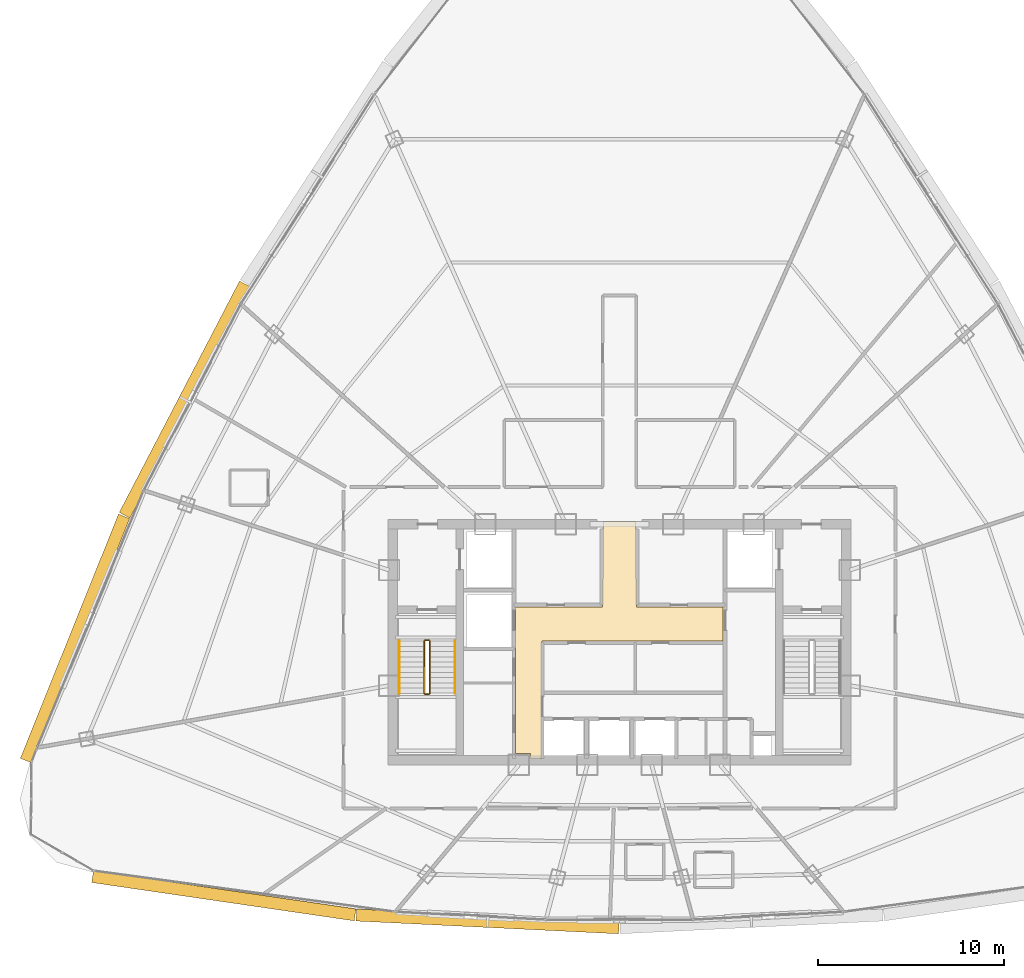
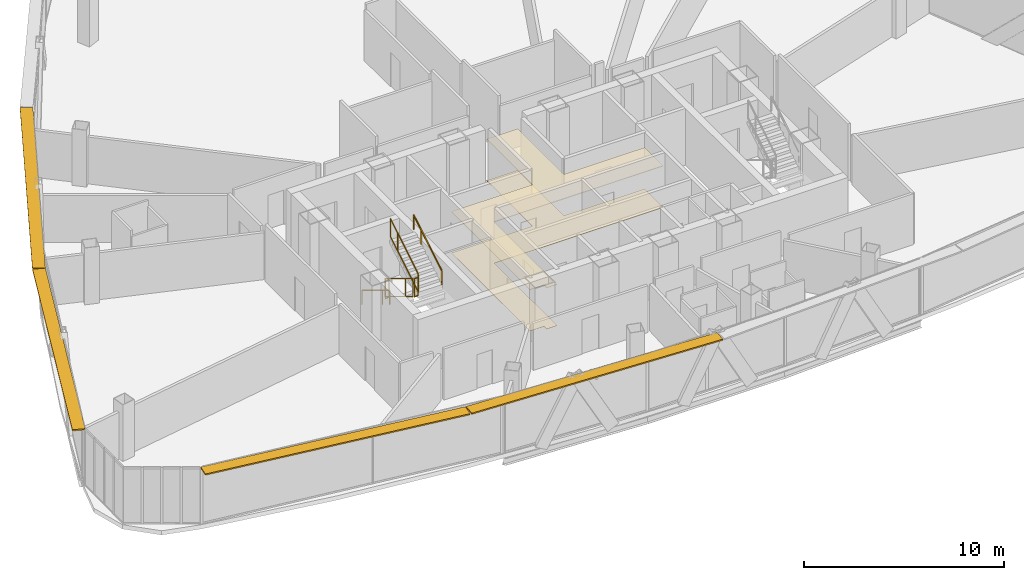
# One storey, part 38 of 40: 6 railings, 4 shading devices, 2 coverings.
"""IFC4 building model written with IfcOpenShell, lengths in metres."""

from ifc_helpers import new_model, si_unit, direction, frame, origin, origin_2d, place, context, subcontext, project, spatial, polyline, rectangle, outline, extrude, source, transform, mapped, material, layer, layer_set, type_object, element, save


model = new_model("IFC4")

# Units and contexts
model_context = context("Model", 3, precision=1e-05, world=origin(), true_north=direction((0.0, 1.0)))
body_context = subcontext(model_context, "Body", "Model", "MODEL_VIEW")
ifc_project = project(units=[si_unit("LENGTHUNIT", "METRE"), si_unit("AREAUNIT", "SQUARE_METRE"), si_unit("VOLUMEUNIT", "CUBIC_METRE"), si_unit("PLANEANGLEUNIT", "RADIAN"), si_unit("MASSUNIT", "GRAM", prefix="KILO"), si_unit("THERMODYNAMICTEMPERATUREUNIT", "KELVIN"), si_unit("POWERUNIT", "WATT")], contexts=[model_context])

# Site, building, storey
site_placement = place(None, origin())
site = spatial("IfcSite", under=ifc_project, at=site_placement, CompositionType="ELEMENT")
building_placement = place(site_placement, origin())
building = spatial("IfcBuilding", under=site, at=building_placement, Name="Yunzhuo Pagoda Commons", CompositionType="ELEMENT")
storey_placement = place(building_placement, frame((0.0, 0.0, 292.47998046875)))
storey = spatial("IfcBuildingStorey", under=building, at=storey_placement, Name="L73", CompositionType="ELEMENT", Elevation=292.47998046875)

# Coverings
ifc_material_1 = material(Name="Micro-perforated metal baffle ceiling")
ifc_layer_1 = layer(ifc_material_1, 0.034912109375)
ifc_layer_set_1 = layer_set([ifc_layer_1], Name="Micro-perforated metal baffle ceiling")
covering_type_1 = type_object("IfcCoveringType", Name="COV-CL3 Ceiling 35", PredefinedType="CEILING", material=ifc_layer_set_1)
covering_1_placement = place(storey_placement, frame((0.0, 0.0, 2.52001953125)))
element("IfcCovering", 1, at=covering_1_placement, inside=storey, type_object=covering_type_1, Name="L73 lift lobby acoustic ceiling", PredefinedType="CEILING", context=body_context, shape_type="SweptSolid", body=[
    extrude(outline(polyline([(42.39990234375, 35.75), (47.080078125, 35.75), (47.080078125, 37.25), (47.10009765625, 37.25), (47.10009765625, 40.35009765625), (48.89990234375, 40.35009765625), (48.89990234375, 37.25), (48.919921875, 37.25), (48.919921875, 35.75), (53.580078125, 35.75), (53.580078125, 33.89990234375), (43.820068359375, 33.89990234375), (43.820068359375, 27.60009765625), (43.207763671875, 27.60009765625), (43.207763671875, 27.85009765625), (43.201904296875, 27.864013671875), (43.187744140625, 27.8701171875), (42.39990234375, 27.8701171875), (42.39990234375, 33.89990234375), (42.39990234375, 35.75)])), origin(), (0.0, 0.0, 1.0), 0.034912109375),
])
ifc_material_2 = material(Name="Resilient acoustic studio flooring")
ifc_layer_2 = layer(ifc_material_2, 0.01806640625)
ifc_layer_set_2 = layer_set([ifc_layer_2], Name="Resilient acoustic studio flooring")
covering_type_2 = type_object("IfcCoveringType", Name="COV-FL3 Flooring 18", PredefinedType="FLOORING", material=ifc_layer_set_2)
covering_2_placement = place(storey_placement, origin())
element("IfcCovering", 2, at=covering_2_placement, inside=storey, type_object=covering_type_2, Name="L73 lift lobby flooring", PredefinedType="FLOORING", context=body_context, shape_type="SweptSolid", body=[
    extrude(outline(polyline([(42.39990234375, 35.75), (47.080078125, 35.75), (47.080078125, 37.25), (47.10009765625, 37.25), (47.10009765625, 40.35009765625), (48.89990234375, 40.35009765625), (48.89990234375, 37.25), (48.919921875, 37.25), (48.919921875, 35.75), (53.580078125, 35.75), (53.580078125, 33.89990234375), (43.820068359375, 33.89990234375), (43.820068359375, 27.60009765625), (43.207763671875, 27.60009765625), (43.207763671875, 27.85009765625), (43.201904296875, 27.864013671875), (43.187744140625, 27.8701171875), (42.39990234375, 27.8701171875), (42.39990234375, 33.89990234375), (42.39990234375, 35.75)])), origin(), (0.0, 0.0, 1.0), 0.01806640625),
])

# Railings
ifc_material_3 = material(Name="Anodized aluminium 6063-T6", Category="aluminium")
railing_type_1 = type_object("IfcRailingType", Name="GR-ST1 Stair Well Guardrail 1150", PredefinedType="GUARDRAIL", material=ifc_material_3)
railing_1_placement = place(storey_placement, frame((37.5, 33.89990234375, 0.169677734375)))
element("IfcRailing", 3, at=railing_1_placement, inside=storey, type_object=railing_type_1, Name="L73 ST1 stair guard 1", PredefinedType="GUARDRAIL", context=body_context, shape_type="SweptSolid", body=[
    extrude(rectangle(XDim=0.048095703125, YDim=0.048095703125, at=origin_2d()), frame((0.0, 0.0, 1.1259765625), z_axis=(0.0, -0.855406155521, 0.517957825596), x_axis=(1.0, 0.0, 0.0)), (0.0, 0.0, 1.0), 3.27294921875),
    extrude(rectangle(XDim=0.048095703125, YDim=0.048095703125, at=origin_2d()), frame((0.0, 0.0, 0.02392578125), z_axis=(0.0, -0.855406155521, 0.517957825596), x_axis=(1.0, 0.0, 0.0)), (0.0, 0.0, 1.0), 3.27294921875),
    extrude(rectangle(XDim=0.0419921875, YDim=0.0419921875, at=origin_2d()), origin(), (0.0, 0.0, 1.0), 1.101806640625),
    extrude(rectangle(XDim=0.0419921875, YDim=0.0419921875, at=origin_2d()), frame((0.0, -2.052978515625, 1.2431640625)), (0.0, 0.0, 1.0), 1.101806640625),
    extrude(rectangle(XDim=0.0419921875, YDim=0.0419921875, at=origin_2d()), frame((0.0, -2.7998046875, 1.6953125)), (0.0, 0.0, 1.0), 1.101806640625),
])
railing_2_placement = place(storey_placement, frame((37.550048828125, 31.050048828125, 1.864990234375)))
element("IfcRailing", 4, at=railing_2_placement, inside=storey, type_object=railing_type_1, Name="L73 ST1 stair guard 2", PredefinedType="GUARDRAIL", context=body_context, shape_type="SweptSolid", body=[
    extrude(rectangle(XDim=0.048095703125, YDim=0.048095703125, at=origin_2d()), frame((0.0, 0.0, 1.1259765625), z_axis=(1.0, 0.0, 0.0), x_axis=(0.0, 1.0, 0.0)), (0.0, 0.0, 1.0), 0.199951171875),
    extrude(rectangle(XDim=0.048095703125, YDim=0.048095703125, at=origin_2d()), frame((0.0, 0.0, 0.02392578125), z_axis=(1.0, 0.0, 0.0), x_axis=(0.0, 1.0, 0.0)), (0.0, 0.0, 1.0), 0.199951171875),
    extrude(rectangle(XDim=0.0419921875, YDim=0.0419921875, at=origin_2d()), origin(), (0.0, 0.0, 1.0), 1.101806640625),
    extrude(rectangle(XDim=0.0419921875, YDim=0.0419921875, at=origin_2d()), frame((0.199951171875, 0.0, 0.0)), (0.0, 0.0, 1.0), 1.101806640625),
])
railing_3_placement = place(storey_placement, frame((37.800048828125, 31.10009765625, 2.03466796875)))
element("IfcRailing", 5, at=railing_3_placement, inside=storey, type_object=railing_type_1, Name="L73 ST1 stair guard 3", PredefinedType="GUARDRAIL", context=body_context, shape_type="SweptSolid", body=[
    extrude(rectangle(XDim=0.048095703125, YDim=0.048095703125, at=origin_2d()), frame((0.0, 0.0, 1.1259765625), z_axis=(0.0, 0.855406155521, 0.517957825596), x_axis=(-1.0, 0.0, 0.0)), (0.0, 0.0, 1.0), 3.27294921875),
    extrude(rectangle(XDim=0.048095703125, YDim=0.048095703125, at=origin_2d()), frame((0.0, 0.0, 0.02392578125), z_axis=(0.0, 0.855406155521, 0.517957825596), x_axis=(-1.0, 0.0, 0.0)), (0.0, 0.0, 1.0), 3.27294921875),
    extrude(rectangle(XDim=0.0419921875, YDim=0.0419921875, at=origin_2d()), origin(), (0.0, 0.0, 1.0), 1.101806640625),
    extrude(rectangle(XDim=0.0419921875, YDim=0.0419921875, at=origin_2d()), frame((0.0, 2.052978515625, 1.2431640625)), (0.0, 0.0, 1.0), 1.101806640625),
    extrude(rectangle(XDim=0.0419921875, YDim=0.0419921875, at=origin_2d()), frame((0.0, 2.7998046875, 1.6953125)), (0.0, 0.0, 1.0), 1.101806640625),
])
railing_4_placement = place(storey_placement, frame((37.550048828125, 33.949951171875, 0.0)))
element("IfcRailing", 6, at=railing_4_placement, inside=storey, type_object=railing_type_1, Name="L73 ST1 stair guard 4", PredefinedType="GUARDRAIL", context=body_context, shape_type="SweptSolid", body=[
    extrude(rectangle(XDim=0.048095703125, YDim=0.048095703125, at=origin_2d()), frame((0.0, 0.0, 1.1259765625), z_axis=(1.0, 0.0, 0.0), x_axis=(0.0, 1.0, 0.0)), (0.0, 0.0, 1.0), 0.199951171875),
    extrude(rectangle(XDim=0.048095703125, YDim=0.048095703125, at=origin_2d()), frame((0.0, 0.0, 0.02392578125), z_axis=(1.0, 0.0, 0.0), x_axis=(0.0, 1.0, 0.0)), (0.0, 0.0, 1.0), 0.199951171875),
    extrude(rectangle(XDim=0.0419921875, YDim=0.0419921875, at=origin_2d()), origin(), (0.0, 0.0, 1.0), 1.101806640625),
    extrude(rectangle(XDim=0.0419921875, YDim=0.0419921875, at=origin_2d()), frame((0.199951171875, 0.0, 0.0)), (0.0, 0.0, 1.0), 1.101806640625),
])
railing_type_2 = type_object("IfcRailingType", Name="HR-ST1 Stair Handrail 900", PredefinedType="HANDRAIL", material=ifc_material_3)
railing_5_placement = place(storey_placement, frame((36.14990234375, 33.89990234375, 0.169677734375)))
element("IfcRailing", 7, at=railing_5_placement, inside=storey, type_object=railing_type_2, Name="L73 ST1 stair handrail 1", PredefinedType="HANDRAIL", context=body_context, shape_type="SweptSolid", body=[
    extrude(rectangle(XDim=0.048095703125, YDim=0.048095703125, at=origin_2d()), frame((0.0, 0.0, 0.8759765625), z_axis=(0.0, -0.855406155521, 0.517957825596), x_axis=(1.0, 0.0, 0.0)), (0.0, 0.0, 1.0), 3.27294921875),
    extrude(rectangle(XDim=0.0419921875, YDim=0.0419921875, at=origin_2d()), origin(), (0.0, 0.0, 1.0), 0.851806640625),
    extrude(rectangle(XDim=0.0419921875, YDim=0.0419921875, at=origin_2d()), frame((0.0, -2.052978515625, 1.2431640625)), (0.0, 0.0, 1.0), 0.851806640625),
    extrude(rectangle(XDim=0.0419921875, YDim=0.0419921875, at=origin_2d()), frame((0.0, -2.7998046875, 1.6953125)), (0.0, 0.0, 1.0), 0.851806640625),
])
railing_6_placement = place(storey_placement, frame((39.14990234375, 31.10009765625, 2.03466796875)))
element("IfcRailing", 8, at=railing_6_placement, inside=storey, type_object=railing_type_2, Name="L73 ST1 stair handrail 2", PredefinedType="HANDRAIL", context=body_context, shape_type="SweptSolid", body=[
    extrude(rectangle(XDim=0.048095703125, YDim=0.048095703125, at=origin_2d()), frame((0.0, 0.0, 0.8759765625), z_axis=(0.0, 0.855406155521, 0.517957825596), x_axis=(-1.0, 0.0, 0.0)), (0.0, 0.0, 1.0), 3.27294921875),
    extrude(rectangle(XDim=0.0419921875, YDim=0.0419921875, at=origin_2d()), origin(), (0.0, 0.0, 1.0), 0.851806640625),
    extrude(rectangle(XDim=0.0419921875, YDim=0.0419921875, at=origin_2d()), frame((0.0, 2.052978515625, 1.2431640625)), (0.0, 0.0, 1.0), 0.851806640625),
    extrude(rectangle(XDim=0.0419921875, YDim=0.0419921875, at=origin_2d()), frame((0.0, 2.7998046875, 1.6953125)), (0.0, 0.0, 1.0), 0.851806640625),
])

# Shading devices
ifc_layer_3 = layer(ifc_material_3, 0.080078125)
ifc_layer_set_3 = layer_set([ifc_layer_3], Name="Anodized aluminium 6063-T6")
shading_device_type = type_object("IfcShadingDeviceType", Name="SH-SUN1 Pagoda Horizontal Sunshade Eave 650", PredefinedType="USERDEFINED", material=ifc_layer_set_3)
shared_shape_1 = source(origin(), body_context, "Body", "SweptSolid", [
    extrude(rectangle(XDim=14.2802734375, YDim=0.64990234375, at=origin_2d()), origin(), (0.0, 0.0, 1.0), 0.080078125),
])
shading_device_1_placement = place(storey_placement, frame((26.710205078125, 20.203369140625, 3.389892578125), z_axis=(0.0, 0.0, 1.0), x_axis=(0.989510666697, -0.144459823108, 0.0)))
element("IfcShadingDevice", 9, at=shading_device_1_placement, inside=storey, type_object=shading_device_type, Name="L73 horizontal pagoda sunshade eave F1.1", ObjectType="SUNSHADE", PredefinedType="USERDEFINED", context=body_context, shape_type="MappedRepresentation", body=[
    mapped(shared_shape_1, transform((0.0, 0.0, 0.0), scale=1.0)),
])
shared_shape_2 = source(origin(), body_context, "Body", "SweptSolid", [
    extrude(rectangle(XDim=14.146728515625, YDim=0.64990234375, at=origin_2d()), origin(), (0.0, 0.0, 1.0), 0.080078125),
])
shading_device_2_placement = place(storey_placement, frame((40.9033203125, 18.822021484375, 3.389892578125), z_axis=(0.0, 0.0, 1.0), x_axis=(0.998818043775, -0.04860571396, 0.0)))
element("IfcShadingDevice", 10, at=shading_device_2_placement, inside=storey, type_object=shading_device_type, Name="L73 horizontal pagoda sunshade eave F1.2", ObjectType="SUNSHADE", PredefinedType="USERDEFINED", context=body_context, shape_type="MappedRepresentation", body=[
    mapped(shared_shape_2, transform((0.0, 0.0, 0.0), scale=1.0)),
])
shared_shape_3 = source(origin(), body_context, "Body", "SweptSolid", [
    extrude(rectangle(XDim=14.165283203125, YDim=0.64990234375, at=origin_2d()), origin(), (0.0, 0.0, 1.0), 0.080078125),
])
shading_device_3_placement = place(storey_placement, frame((18.701416015625, 34.05029296875, 3.389892578125), z_axis=(0.0, 0.0, 1.0), x_axis=(-0.372987782576, -0.927836253899, 0.0)))
element("IfcShadingDevice", 11, at=shading_device_3_placement, inside=storey, type_object=shading_device_type, Name="L73 horizontal pagoda sunshade eave F3.4", ObjectType="SUNSHADE", PredefinedType="USERDEFINED", context=body_context, shape_type="MappedRepresentation", body=[
    mapped(shared_shape_3, transform((0.0, 0.0, 0.0), scale=1.0)),
])
shared_shape_4 = source(origin(), body_context, "Body", "SweptSolid", [
    extrude(rectangle(XDim=14.031005859375, YDim=0.64990234375, at=origin_2d()), origin(), (0.0, 0.0, 1.0), 0.080078125),
])
shading_device_4_placement = place(storey_placement, frame((24.605224609375, 46.904052734375, 3.389892578125), z_axis=(0.0, 0.0, 1.0), x_axis=(-0.461206683033, -0.88729273384, 0.0)))
element("IfcShadingDevice", 12, at=shading_device_4_placement, inside=storey, type_object=shading_device_type, Name="L73 horizontal pagoda sunshade eave F3.3", ObjectType="SUNSHADE", PredefinedType="USERDEFINED", context=body_context, shape_type="MappedRepresentation", body=[
    mapped(shared_shape_4, transform((0.0, 0.0, 0.0), scale=1.0)),
])

save(model, "model.ifc")
